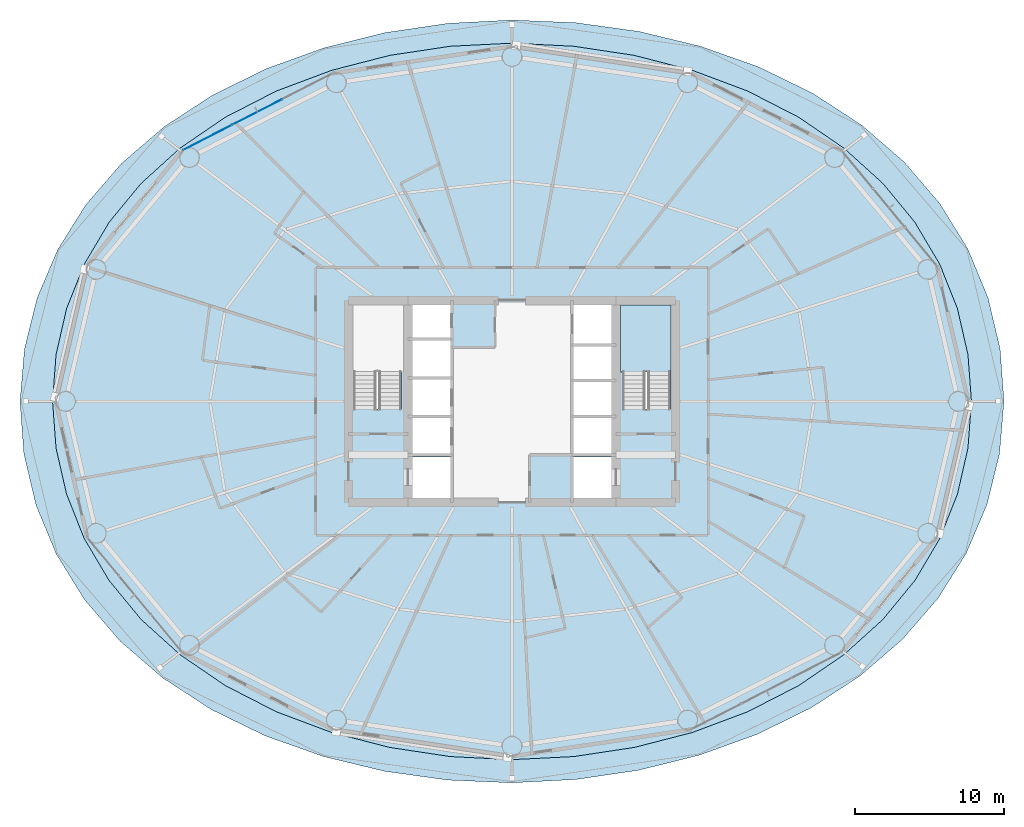
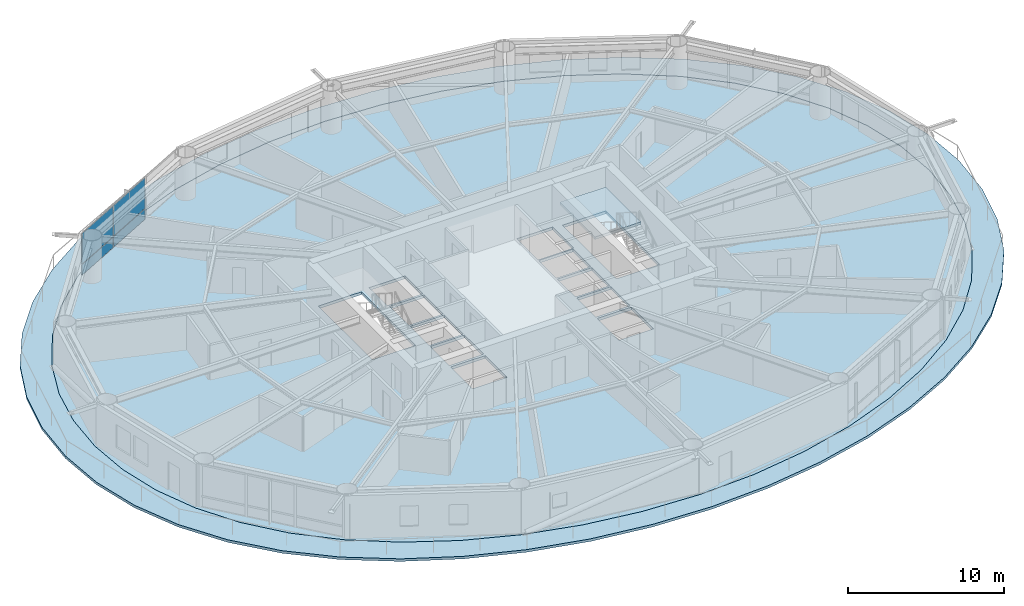
# One storey, part 17 of 26: 4 plates, 3 slabs, 2 elements without a shape of their own.
"""IFC4 building model written with IfcOpenShell, lengths in metres."""

from ifc_helpers import new_model, si_unit, direction, frame, origin, origin_2d, place, context, subcontext, project, spatial, polyline, rectangle, outline, extrude, material, layer, layer_set, type_object, element, aggregate, save


model = new_model("IFC4")

# Units and contexts
model_context = context("Model", 3, precision=1e-05, world=origin(), true_north=direction((0.0, 1.0)))
body_context = subcontext(model_context, "Body", "Model", "MODEL_VIEW")
ifc_project = project(units=[si_unit("LENGTHUNIT", "METRE"), si_unit("AREAUNIT", "SQUARE_METRE"), si_unit("VOLUMEUNIT", "CUBIC_METRE"), si_unit("PLANEANGLEUNIT", "RADIAN"), si_unit("MASSUNIT", "GRAM", prefix="KILO")], contexts=[model_context])

# Site, building, storey
site_placement = place(None, origin())
site = spatial("IfcSite", under=ifc_project, at=site_placement, CompositionType="ELEMENT")
building_placement = place(site_placement, origin())
building = spatial("IfcBuilding", under=site, at=building_placement, Name="Sarneth Arch Tower", CompositionType="ELEMENT")
storey_placement = place(building_placement, frame((0.0, 0.0, 53.39990234375)))
storey = spatial("IfcBuildingStorey", under=building, at=storey_placement, Name="L12", CompositionType="ELEMENT", Elevation=53.39990234375)

# Curtain wall, plates
ifc_material_1 = material(Name="Anodised aluminium Type AA25 and solar-control low-e laminated IGU", Category="aluminium")
ifc_layer_1 = layer(ifc_material_1, 0.159912109375)
ifc_layer_set_1 = layer_set([ifc_layer_1], Name="Anodised aluminium Type AA25 and solar-control low-e laminated IGU")
curtain_wall_type = type_object("IfcCurtainWallType", Name="CW-HOTEL-LOW", PredefinedType="NOTDEFINED", material=ifc_layer_set_1)
curtain_wall_placement = place(storey_placement, origin())
curtain_wall = element("IfcCurtainWall", 1, at=curtain_wall_placement, inside=storey, type_object=curtain_wall_type, Name="L12 Unitised curtain wall facet 06", PredefinedType="NOTDEFINED")
ifc_material_2 = material(Name="Solar-control low-e laminated IGU", Category="glass")
ifc_layer_2 = layer(ifc_material_2, 0.028076171875)
ifc_layer_set_2 = layer_set([ifc_layer_2], Name="Solar-control low-e laminated IGU")
plate_type = type_object("IfcPlateType", Name="CW-PANEL", PredefinedType="CURTAIN_PANEL", material=ifc_layer_set_2)
plate_1_placement = place(storey_placement, frame((30.8740234375, 61.473876953125, 0.06005859375), z_axis=(0.0, 0.0, 1.0), x_axis=(-0.889854100456, -0.456245197127, 0.0)))
plate_1 = element("IfcPlate", 2, at=plate_1_placement, type_object=plate_type, Name="Curtain wall glazed vision pane CW-L12-F06/P01-00", PredefinedType="CURTAIN_PANEL", context=body_context, shape_type="SweptSolid", body=[
    extrude(rectangle(XDim=3.721923828125, YDim=0.028076171875, at=origin_2d()), origin(), (0.0, 0.0, 1.0), 0.81005859375),
])
plate_2_placement = place(storey_placement, frame((30.8740234375, 61.473876953125, 0.93017578125), z_axis=(0.0, 0.0, 1.0), x_axis=(-0.889854100456, -0.456245197127, 0.0)))
plate_2 = element("IfcPlate", 3, at=plate_2_placement, type_object=plate_type, Name="Curtain wall glazed vision pane CW-L12-F06/P01-01", PredefinedType="CURTAIN_PANEL", context=body_context, shape_type="SweptSolid", body=[
    extrude(rectangle(XDim=3.721923828125, YDim=0.028076171875, at=origin_2d()), origin(), (0.0, 0.0, 1.0), 2.389892578125),
])
plate_3_placement = place(storey_placement, frame((27.52197265625, 59.75537109375, 0.06005859375), z_axis=(0.0, 0.0, 1.0), x_axis=(-0.889854100456, -0.456245197127, 0.0)))
plate_3 = element("IfcPlate", 4, at=plate_3_placement, type_object=plate_type, Name="Curtain wall glazed vision pane CW-L12-F06/P02-00", PredefinedType="CURTAIN_PANEL", context=body_context, shape_type="SweptSolid", body=[
    extrude(rectangle(XDim=3.69189453125, YDim=0.028076171875, at=origin_2d()), origin(), (0.0, 0.0, 1.0), 0.81005859375),
])
plate_4_placement = place(storey_placement, frame((27.52197265625, 59.75537109375, 0.93017578125), z_axis=(0.0, 0.0, 1.0), x_axis=(-0.889854100456, -0.456245197127, 0.0)))
plate_4 = element("IfcPlate", 5, at=plate_4_placement, type_object=plate_type, Name="Curtain wall glazed vision pane CW-L12-F06/P02-01", PredefinedType="CURTAIN_PANEL", context=body_context, shape_type="SweptSolid", body=[
    extrude(rectangle(XDim=3.69189453125, YDim=0.028076171875, at=origin_2d()), origin(), (0.0, 0.0, 1.0), 2.389892578125),
])
aggregate(curtain_wall, [plate_1, plate_2, plate_3, plate_4])

# Slab
ifc_material_3 = material(Name="Concrete C50/60", Category="concrete")
ifc_layer_3 = layer(ifc_material_3, 0.199951171875)
ifc_layer_set_3 = layer_set([ifc_layer_3], Name="Concrete C50/60")
slab_type_1 = type_object("IfcSlabType", Name="SLAB-BALC-200", PredefinedType="FLOOR", material=ifc_layer_set_3)
slab_1_placement = place(storey_placement, frame((0.0, 0.0, -0.199951171875)))
element("IfcSlab", 6, at=slab_1_placement, inside=storey, type_object=slab_type_1, Name="L12 Helical balcony band slab", PredefinedType="FLOOR", context=body_context, shape_type="SweptSolid", body=[
    extrude(outline(polyline([(81.099853515625, 42.0), (80.840576171875, 45.532470703125), (80.024169921875, 48.98291015625), (78.66064453125, 52.27197265625), (76.76708984375, 55.3359375), (74.368896484375, 58.125244140625), (71.50341796875, 60.602294921875), (68.22119140625, 62.7373046875), (64.5869140625, 64.50732421875), (60.673095703125, 65.894775390625), (56.555908203125, 66.88720703125), (52.30859375, 67.476806640625), (48.0, 67.65966796875), (43.6953125, 67.436279296875), (39.459716796875, 66.81005859375), (35.360107421875, 65.788818359375), (31.4677734375, 64.382568359375), (27.85498046875, 62.60595703125), (24.59130859375, 60.4765625), (21.737060546875, 58.0166015625), (19.340576171875, 55.25244140625), (17.436279296875, 52.2177734375), (16.049560546875, 48.9560546875), (15.199462890625, 45.525146484375), (14.900146484375, 42.0), (15.159423828125, 38.467529296875), (15.975830078125, 35.01708984375), (17.33935546875, 31.72802734375), (19.23291015625, 28.6640625), (21.631103515625, 25.874755859375), (24.49658203125, 23.397705078125), (27.77880859375, 21.2626953125), (31.4130859375, 19.49267578125), (35.326904296875, 18.105224609375), (39.444091796875, 17.11279296875), (43.69140625, 16.523193359375), (48.0, 16.34033203125), (52.3046875, 16.563720703125), (56.540283203125, 17.18994140625), (60.639892578125, 18.211181640625), (64.5322265625, 19.617431640625), (68.14501953125, 21.39404296875), (71.40869140625, 23.5234375), (74.262939453125, 25.9833984375), (76.659423828125, 28.74755859375), (78.563720703125, 31.7822265625), (79.950439453125, 35.0439453125), (80.800537109375, 38.474853515625), (81.099853515625, 42.0)]), holes=[polyline([(78.90966796875, 42.0), (78.675048828125, 45.145751953125), (77.9677734375, 48.237548828125), (76.780029296875, 51.22265625), (75.10595703125, 54.050048828125), (72.94873046875, 56.671142578125), (70.32861328125, 59.041259765625), (67.2841796875, 61.119873046875), (63.8720703125, 62.87109375), (60.162109375, 64.265380859375), (56.2294921875, 65.27880859375), (52.150634765625, 65.893798828125), (48.0, 66.10009765625), (43.849365234375, 65.893798828125), (39.7705078125, 65.27880859375), (35.837890625, 64.265380859375), (32.1279296875, 62.87109375), (28.7158203125, 61.119873046875), (25.67138671875, 59.041259765625), (23.05126953125, 56.671142578125), (20.89404296875, 54.050048828125), (19.219970703125, 51.22265625), (18.0322265625, 48.237548828125), (17.324951171875, 45.145751953125), (17.09033203125, 42.0), (17.324951171875, 38.854248046875), (18.0322265625, 35.762451171875), (19.219970703125, 32.77734375), (20.89404296875, 29.949951171875), (23.05126953125, 27.328857421875), (25.67138671875, 24.958740234375), (28.7158203125, 22.880126953125), (32.1279296875, 21.12890625), (35.837890625, 19.734619140625), (39.7705078125, 18.72119140625), (43.849365234375, 18.106201171875), (48.0, 17.89990234375), (52.150634765625, 18.106201171875), (56.2294921875, 18.72119140625), (60.162109375, 19.734619140625), (63.8720703125, 21.12890625), (67.2841796875, 22.880126953125), (70.32861328125, 24.958740234375), (72.94873046875, 27.328857421875), (75.10595703125, 29.949951171875), (76.780029296875, 32.77734375), (77.9677734375, 35.762451171875), (78.675048828125, 38.854248046875), (78.90966796875, 42.0)])]), origin(), (0.0, 0.0, 1.0), 0.199951171875),
])

# Stair, slab
ifc_material_4 = material(Name="Concrete C50/60", Category="concrete")
stair_type = type_object("IfcStairType", Name="STAIR-CORE-RC", PredefinedType="HALF_TURN_STAIR", material=ifc_material_4)
stair_placement = place(storey_placement, origin())
stair = element("IfcStair", 7, at=stair_placement, inside=storey, type_object=stair_type, Name="L12 Core Exit Stair 2", PredefinedType="HALF_TURN_STAIR")
ifc_material_5 = material(Name="Concrete C50/60", Category="concrete")
ifc_layer_4 = layer(ifc_material_5, 0.199951171875)
ifc_layer_set_4 = layer_set([ifc_layer_4], Name="Concrete C50/60")
slab_type_2 = type_object("IfcSlabType", Name="SLAB-LANDING-200", PredefinedType="LANDING", material=ifc_layer_set_4)
slab_2_placement = place(storey_placement, frame((0.0, 0.0, 1.60009765625)))
slab_2 = element("IfcSlab", 8, at=slab_2_placement, type_object=slab_type_2, Name="ST-2 landing 1", PredefinedType="LANDING", context=body_context, shape_type="SweptSolid", body=[
    extrude(outline(polyline([(55.300048828125, 43.985107421875), (58.699951171875, 43.985107421875), (58.699951171875, 48.5), (55.300048828125, 48.5), (55.300048828125, 43.985107421875)])), origin(), (0.0, 0.0, 1.0), 0.199951171875),
])
aggregate(stair, [slab_2])

# Slab
ifc_material_6 = material(Name="Concrete C50/60", Category="concrete")
ifc_layer_5 = layer(ifc_material_6, 0.219970703125)
ifc_layer_set_5 = layer_set([ifc_layer_5], Name="Concrete C50/60")
slab_type_3 = type_object("IfcSlabType", Name="SLAB-TOWER-220", PredefinedType="FLOOR", material=ifc_layer_set_5)
slab_3_placement = place(storey_placement, frame((0.0, 0.0, -0.219970703125)))
element("IfcSlab", 9, at=slab_3_placement, inside=storey, type_object=slab_type_3, Name="L12 Elliptical floor slab", PredefinedType="FLOOR", context=body_context, shape_type="SweptSolid", body=[
    extrude(outline(polyline([(78.90966796875, 42.0), (78.675048828125, 45.145751953125), (77.9677734375, 48.237548828125), (76.780029296875, 51.22265625), (75.10595703125, 54.050048828125), (72.94873046875, 56.671142578125), (70.32861328125, 59.041259765625), (67.2841796875, 61.119873046875), (63.8720703125, 62.87109375), (60.162109375, 64.265380859375), (56.2294921875, 65.27880859375), (52.150634765625, 65.893798828125), (48.0, 66.10009765625), (43.849365234375, 65.893798828125), (39.7705078125, 65.27880859375), (35.837890625, 64.265380859375), (32.1279296875, 62.87109375), (28.7158203125, 61.119873046875), (25.67138671875, 59.041259765625), (23.05126953125, 56.671142578125), (20.89404296875, 54.050048828125), (19.219970703125, 51.22265625), (18.0322265625, 48.237548828125), (17.324951171875, 45.145751953125), (17.09033203125, 42.0), (17.324951171875, 38.854248046875), (18.0322265625, 35.762451171875), (19.219970703125, 32.77734375), (20.89404296875, 29.949951171875), (23.05126953125, 27.328857421875), (25.67138671875, 24.958740234375), (28.7158203125, 22.880126953125), (32.1279296875, 21.12890625), (35.837890625, 19.734619140625), (39.7705078125, 18.72119140625), (43.849365234375, 18.106201171875), (48.0, 17.89990234375), (52.150634765625, 18.106201171875), (56.2294921875, 18.72119140625), (60.162109375, 19.734619140625), (63.8720703125, 21.12890625), (67.2841796875, 22.880126953125), (70.32861328125, 24.958740234375), (72.94873046875, 27.328857421875), (75.10595703125, 29.949951171875), (76.780029296875, 32.77734375), (77.9677734375, 35.762451171875), (78.675048828125, 38.854248046875), (78.90966796875, 42.0)]), holes=[polyline([(37.35009765625, 41.489990234375), (40.550048828125, 41.489990234375), (40.550048828125, 48.39990234375), (37.35009765625, 48.39990234375), (37.35009765625, 41.489990234375)]), polyline([(55.449951171875, 41.489990234375), (58.64990234375, 41.489990234375), (58.64990234375, 48.39990234375), (55.449951171875, 48.39990234375), (55.449951171875, 41.489990234375)]), polyline([(41.199951171875, 46.25), (43.85009765625, 46.25), (43.85009765625, 48.550048828125), (41.199951171875, 48.550048828125), (41.199951171875, 46.25)]), polyline([(41.300048828125, 35.449951171875), (43.85009765625, 35.449951171875), (43.85009765625, 38.25), (41.300048828125, 38.25), (41.300048828125, 35.449951171875)]), polyline([(52.14990234375, 35.449951171875), (54.699951171875, 35.449951171875), (54.699951171875, 38.25), (52.14990234375, 38.25), (52.14990234375, 35.449951171875)]), polyline([(52.14990234375, 45.85009765625), (54.800048828125, 45.85009765625), (54.800048828125, 48.550048828125), (52.14990234375, 48.550048828125), (52.14990234375, 45.85009765625)]), polyline([(41.300048828125, 38.449951171875), (43.85009765625, 38.449951171875), (43.85009765625, 40.89990234375), (41.300048828125, 40.89990234375), (41.300048828125, 38.449951171875)]), polyline([(41.300048828125, 41.050048828125), (43.85009765625, 41.050048828125), (43.85009765625, 43.5), (41.300048828125, 43.5), (41.300048828125, 41.050048828125)]), polyline([(41.300048828125, 43.64990234375), (43.85009765625, 43.64990234375), (43.85009765625, 46.10009765625), (41.300048828125, 46.10009765625), (41.300048828125, 43.64990234375)]), polyline([(52.14990234375, 38.449951171875), (54.699951171875, 38.449951171875), (54.699951171875, 40.89990234375), (52.14990234375, 40.89990234375), (52.14990234375, 38.449951171875)]), polyline([(52.14990234375, 41.050048828125), (54.699951171875, 41.050048828125), (54.699951171875, 43.35009765625), (52.14990234375, 43.35009765625), (52.14990234375, 41.050048828125)]), polyline([(52.14990234375, 43.5), (54.699951171875, 43.5), (54.699951171875, 45.75), (52.14990234375, 45.75), (52.14990234375, 43.5)])]), origin(), (0.0, 0.0, 1.0), 0.219970703125),
])

save(model, "model.ifc")
